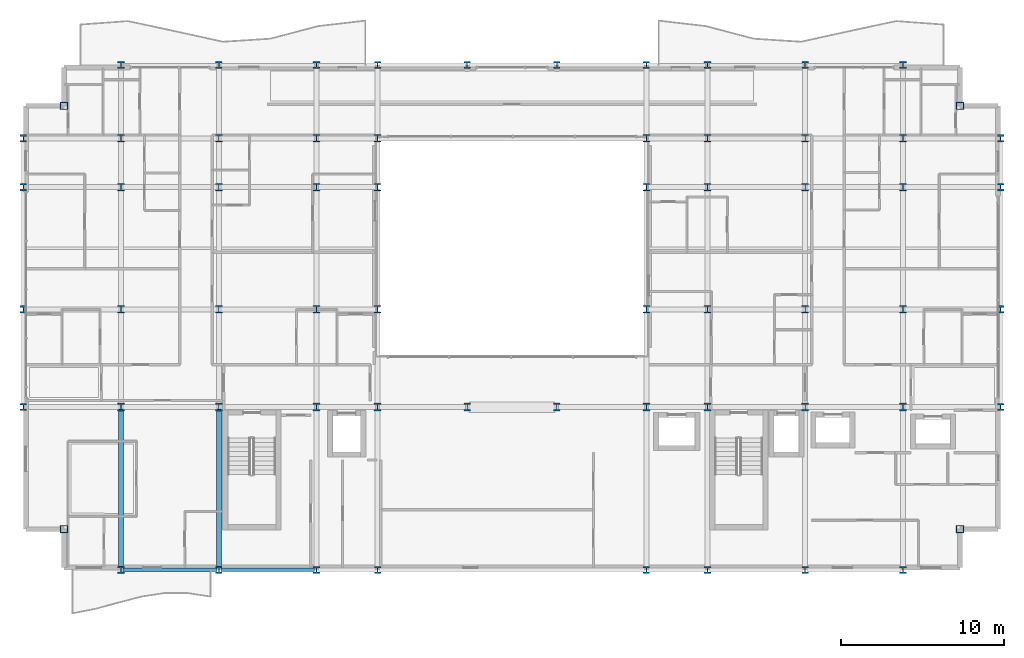
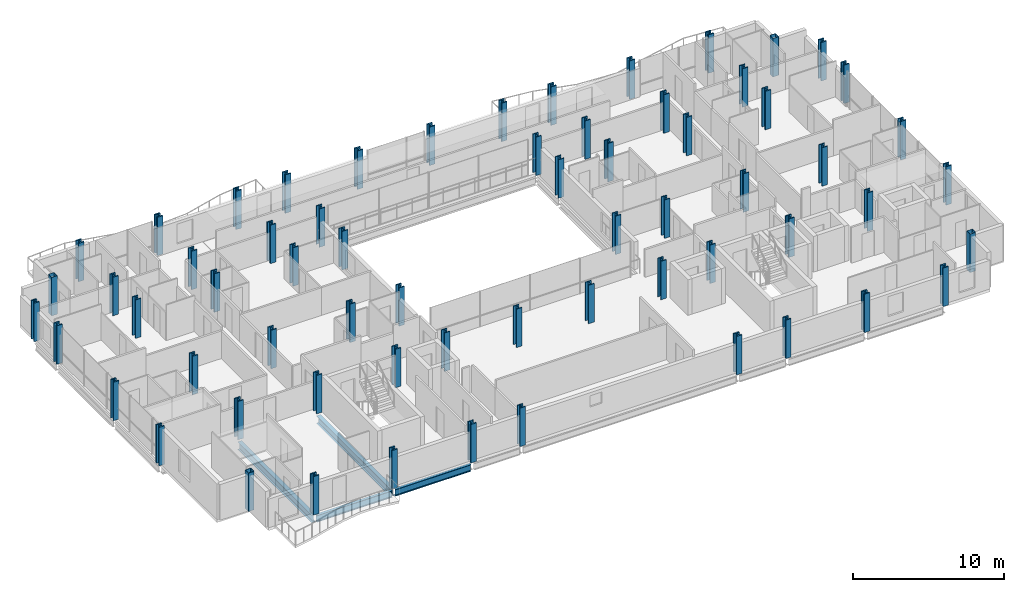
# One storey, part 1 of 41: 64 columns, 4 beams.
"""IFC4 building model written with IfcOpenShell, lengths in metres."""

import ifcopenshell
import ifcopenshell.guid

model = None  # the IFC model being written
_history = None  # IfcOwnerHistory: only IFC2X3 demands one
_inside = {}  # id of a spatial element -> (the spatial element, [elements in it])
_under = {}  # id of a project, library or spatial element -> (it, [spatial elements below it])
_declared = {}  # id of a project -> (the project, [libraries it declares])
_typed = {}  # id of a type object -> (the type object, [elements of that type])
_made_of = {}  # id of a material, layer set ... -> (it, [elements and type objects made of it])


def new_model(schema):
    """Start an empty IFC model of exactly this schema.

    Asked for "IFC4X3", IfcOpenShell would pick the latest addendum, in which some entities
    have other attributes; the version numbers below select the first issue.
    IFC2X3 requires an IfcOwnerHistory on every rooted entity: one is made here for all.
    """
    global model, _history
    if schema == "IFC4X3":
        model = ifcopenshell.file(schema_version=(4, 3, 0, 0))
    else:
        model = ifcopenshell.file(schema=schema)
    _inside.clear()
    _under.clear()
    _declared.clear()
    _typed.clear()
    _made_of.clear()
    _history = None
    if model.schema == "IFC2X3":
        org = make("IfcOrganization", Name="unknown")
        user = make(
            "IfcPersonAndOrganization",
            ThePerson=make("IfcPerson", FamilyName="unknown"),
            TheOrganization=org,
        )
        app = make(
            "IfcApplication",
            ApplicationDeveloper=org,
            Version="unknown",
            ApplicationFullName="unknown",
            ApplicationIdentifier="unknown",
        )
        _history = make(
            "IfcOwnerHistory",
            OwningUser=user,
            OwningApplication=app,
            ChangeAction="ADDED",
            CreationDate=0,
        )
    return model


def make(cls, **values):
    """One entity of the class cls with the attributes given. An attribute that is None is left unset."""
    return model.create_entity(
        cls, **{name: value for name, value in values.items() if value is not None}
    )


def rooted(cls, **values):
    """An entity with a GlobalId (a new one), such as an element, a storey or a relation."""
    return make(cls, GlobalId=ifcopenshell.guid.new(), OwnerHistory=_history, **values)


def si_unit(unit_type, name, prefix=None):
    """IfcSIUnit, for example si_unit("LENGTHUNIT", "METRE", prefix="MILLI")."""
    return make("IfcSIUnit", UnitType=unit_type, Prefix=prefix, Name=name)


def assignment(units):
    """IfcUnitAssignment: the units of a project."""
    return None if units is None else make("IfcUnitAssignment", Units=units)


def point(xyz):
    """IfcCartesianPoint."""
    return None if xyz is None else make("IfcCartesianPoint", Coordinates=xyz)


def direction(xyz):
    """IfcDirection."""
    return None if xyz is None else make("IfcDirection", DirectionRatios=xyz)


def frame(location, z_axis=None, x_axis=None):
    """IfcAxis2Placement3D, a coordinate frame: its origin and axes. An axis left out is left unset."""
    return make(
        "IfcAxis2Placement3D",
        Location=point(location),
        Axis=direction(z_axis),
        RefDirection=direction(x_axis),
    )


def frame_2d(location, x_axis=None):
    """IfcAxis2Placement2D, a coordinate frame in the plane: its origin and x axis."""
    return make(
        "IfcAxis2Placement2D", Location=point(location), RefDirection=direction(x_axis)
    )


def origin():
    """The frame at (0, 0, 0) with its axes left unset."""
    return frame((0.0, 0.0, 0.0))


def origin_2d():
    """The frame at (0, 0) in the plane with its x axis left unset."""
    return frame_2d((0.0, 0.0))


def place(relative_to, where):
    """IfcLocalPlacement: puts the frame where relative to a parent placement (None: the world)."""
    return make(
        "IfcLocalPlacement", PlacementRelTo=relative_to, RelativePlacement=where
    )


def context(
    kind, dimensions, precision=None, world=None, true_north=None, identifier=None
):
    """IfcGeometricRepresentationContext, for example the 3D "Model" context."""
    return make(
        "IfcGeometricRepresentationContext",
        ContextIdentifier=identifier,
        ContextType=kind,
        CoordinateSpaceDimension=dimensions,
        Precision=precision,
        WorldCoordinateSystem=world,
        TrueNorth=true_north,
    )


def subcontext(parent, identifier, kind, view, scale=None):
    """IfcGeometricRepresentationSubContext, for example "Body" below "Model"."""
    return make(
        "IfcGeometricRepresentationSubContext",
        ContextIdentifier=identifier,
        ContextType=kind,
        ParentContext=parent,
        TargetScale=scale,
        TargetView=view,
    )


def project(units=None, contexts=None):
    """IfcProject with its units and contexts."""
    return rooted(
        "IfcProject",
        Name="project",
        RepresentationContexts=contexts,
        UnitsInContext=assignment(units),
    )


def spatial(cls, under=None, at=None, **own):
    """A site, building, storey or space (cls), placed at a placement, below another one or the project."""
    s = rooted(cls, ObjectPlacement=at, **own)
    if under is not None:
        _under.setdefault(under.id(), (under, []))[1].append(s)
    return s


def profile(cls, at=None, kind="AREA", **sizes):
    """A parametric profile (cls). Its sizes go by their IFC names, for example OverallWidth=200.0."""
    return make(cls, ProfileType=kind, Position=at, **sizes)


def hollow_rectangle(**sizes):
    """IfcRectangleHollowProfileDef."""
    return profile("IfcRectangleHollowProfileDef", **sizes)


def i_section(**sizes):
    """IfcIShapeProfileDef."""
    return profile("IfcIShapeProfileDef", **sizes)


def extrude(swept, where, along, depth):
    """IfcExtrudedAreaSolid: the profile swept, set in the frame where, extruded along a direction by depth."""
    return make(
        "IfcExtrudedAreaSolid",
        SweptArea=swept,
        Position=where,
        ExtrudedDirection=direction(along),
        Depth=depth,
    )


def shape(context_of_items, identifier, shape_type, items):
    """IfcShapeRepresentation: the items that make up one representation, for example the "Body"."""
    return make(
        "IfcShapeRepresentation",
        ContextOfItems=context_of_items,
        RepresentationIdentifier=identifier,
        RepresentationType=shape_type,
        Items=items,
    )


def material(Name=None, Category=None):
    """IfcMaterial."""
    return make("IfcMaterial", Name=Name, Category=Category)


def material_profile(
    of_material, cross_section, Name=None, Category=None, Priority=None
):
    """IfcMaterialProfile: a cross section and its material."""
    return make(
        "IfcMaterialProfile",
        Name=Name,
        Material=of_material,
        Profile=cross_section,
        Priority=Priority,
        Category=Category,
    )


def profile_set(profiles, Name=None, composite=None):
    """IfcMaterialProfileSet."""
    return make(
        "IfcMaterialProfileSet",
        Name=Name,
        MaterialProfiles=profiles,
        CompositeProfile=composite,
    )


def made_of(thing, what):
    """Note that an element or type object is made of a material, layer set ...; save() writes the relation."""
    if what is not None:
        _made_of.setdefault(what.id(), (what, []))[1].append(thing)
    return thing


def type_object(cls, material=None, **own):
    """A type object (cls), such as IfcWallType, which elements share."""
    return made_of(rooted(cls, **own), material)


def element(
    cls,
    number,
    at=None,
    inside=None,
    cuts=None,
    type_object=None,
    material=None,
    context=None,
    identifier="Body",
    shape_type=None,
    held_by="IfcProductDefinitionShape",
    body=None,
    shapes=None,
    **own,
):
    """One element of the class cls, such as IfcWall. Its Tag is "e" and its number.

    at: its placement. inside: the storey or other place that contains it. cuts: it is an
    opening in that element (IfcRelVoidsElement). A single representation is given by context,
    identifier, shape_type and body (its items); several are given by shapes. held_by: the class
    of the entity that holds the representations. save() writes the other relations.
    """
    e = rooted(cls, Tag="e%d" % number, ObjectPlacement=at, **own)
    if body is not None:
        shapes = [shape(context, identifier, shape_type, body)]
    if shapes is not None:
        e.Representation = make(held_by, Representations=shapes)
    if inside is not None:
        _inside.setdefault(inside.id(), (inside, []))[1].append(e)
    if cuts is not None:
        rooted(
            "IfcRelVoidsElement", RelatingBuildingElement=cuts, RelatedOpeningElement=e
        )
    if type_object is not None:
        _typed.setdefault(type_object.id(), (type_object, []))[1].append(e)
    return made_of(e, material)


def aggregate(whole, parts):
    """IfcRelAggregates: a whole, such as a stair, and the parts it consists of."""
    return rooted("IfcRelAggregates", RelatingObject=whole, RelatedObjects=parts)


def save(model, path):
    """Write the relations noted so far, then the file.

    IfcRelAggregates (storeys below a building ...), IfcRelContainedInSpatialStructure (elements
    in a storey), IfcRelDefinesByType, IfcRelAssociatesMaterial and IfcRelDeclares: one each for
    every whole, place, type object, material and project.
    """
    for whole, parts in _under.values():
        aggregate(whole, parts)
    for where, things in _inside.values():
        rooted(
            "IfcRelContainedInSpatialStructure",
            RelatedElements=things,
            RelatingStructure=where,
        )
    for kind, things in _typed.values():
        rooted("IfcRelDefinesByType", RelatedObjects=things, RelatingType=kind)
    for what, things in _made_of.values():
        rooted("IfcRelAssociatesMaterial", RelatedObjects=things, RelatingMaterial=what)
    for by, libraries in _declared.values():
        rooted("IfcRelDeclares", RelatingContext=by, RelatedDefinitions=libraries)
    model.write(path)


model = new_model("IFC4")

# Units and contexts
model_context = context("Model", 3, precision=1e-05, world=origin(), true_north=direction((0.0, 1.0)))
body_context = subcontext(model_context, "Body", "Model", "MODEL_VIEW")
ifc_project = project(units=[si_unit("LENGTHUNIT", "METRE"), si_unit("AREAUNIT", "SQUARE_METRE"), si_unit("VOLUMEUNIT", "CUBIC_METRE"), si_unit("PLANEANGLEUNIT", "RADIAN"), si_unit("MASSUNIT", "GRAM", prefix="KILO")], contexts=[model_context])

# Site, building, storey
site_placement = place(None, origin())
site = spatial("IfcSite", under=ifc_project, at=site_placement, CompositionType="ELEMENT")
building_placement = place(site_placement, origin())
building = spatial("IfcBuilding", under=site, at=building_placement, Name="Brevholm Reach", CompositionType="ELEMENT")
storey_placement = place(building_placement, frame((0.0, 0.0, 49.699951171875)))
storey = spatial("IfcBuildingStorey", under=building, at=storey_placement, Name="L13", CompositionType="ELEMENT", Elevation=49.699951171875)

# Columns
ifc_material_1 = material(Name="Structural Steel S460ML", Category="steel")
ifc_material_profile_1 = material_profile(ifc_material_1, i_section(OverallWidth=0.4140625, OverallDepth=0.444091796875, WebThickness=0.060546875, FlangeThickness=0.096923828125, FilletRadius=0.014892578125, at=origin_2d()), Name="HD 400x818")
ifc_profile_set_1 = profile_set([ifc_material_profile_1], Name="Structural Steel S460ML")
column_type_1 = type_object("IfcColumnType", Name="COL-HD2", PredefinedType="COLUMN", material=ifc_profile_set_1)
for number, where, z_axis, x_axis, name in (
    (1, (0.0, 10.0, 0.0), (0.0, 0.0, 1.0), (1.0, 0.0, 0.0), "L13 Column 01"),
    (2, (0.0, 16.0, 0.0), (0.0, 0.0, 1.0), (1.0, 0.0, 0.0), "L13 Column 02"),
    (3, (0.0, 23.5, 0.0), (0.0, 0.0, 1.0), (1.0, 0.0, 0.0), "L13 Column 03"),
    (4, (0.0, 26.5, 0.0), (0.0, 0.0, 1.0), (1.0, 0.0, 0.0), "L13 Column 04"),
    (5, (6.0, 0.0, 0.0), (0.0, 0.0, 1.0), (1.0, 0.0, 0.0), "L13 Column 07"),
    (6, (6.0, 31.0, 0.0), (0.0, 0.0, 1.0), (1.0, 0.0, 0.0), "L13 Column 12"),
    (7, (12.0, 0.0, 0.0), (0.0, 0.0, 1.0), (1.0, 0.0, 0.0), "L13 Column 13"),
    (8, (12.0, 31.0, 0.0), (0.0, 0.0, 1.0), (1.0, 0.0, 0.0), "L13 Column 18"),
    (9, (18.0, 0.0, 0.0), (0.0, 0.0, 1.0), (1.0, 0.0, 0.0), "L13 Column 19"),
    (10, (18.0, 31.0, 0.0), (0.0, 0.0, 1.0), (1.0, 0.0, 0.0), "L13 Column 24"),
    (11, (21.75, 0.0, 0.0), (0.0, 0.0, 1.0), (1.0, 0.0, 0.0), "L13 Column 25"),
    (12, (21.75, 31.0, 0.0), (0.0, 0.0, 1.0), (1.0, 0.0, 0.0), "L13 Column 30"),
    (13, (27.25, 31.0, 0.0), (0.0, 0.0, 1.0), (1.0, 0.0, 0.0), "L13 Column 32"),
    (14, (32.75, 31.0, 0.0), (0.0, 0.0, 1.0), (1.0, 0.0, 0.0), "L13 Column 34"),
    (15, (38.25, 0.0, 0.0), (0.0, 0.0, 1.0), (1.0, 0.0, 0.0), "L13 Column 35"),
    (16, (38.25, 31.0, 0.0), (0.0, 0.0, 1.0), (1.0, 0.0, 0.0), "L13 Column 40"),
    (17, (42.0, 0.0, 0.0), (0.0, 0.0, 1.0), (1.0, 0.0, 0.0), "L13 Column 41"),
    (18, (42.0, 31.0, 0.0), (0.0, 0.0, 1.0), (1.0, 0.0, 0.0), "L13 Column 46"),
    (19, (48.0, 0.0, 0.0), (0.0, 0.0, 1.0), (1.0, 0.0, 0.0), "L13 Column 47"),
    (20, (48.0, 31.0, 0.0), (0.0, 0.0, 1.0), (1.0, 0.0, 0.0), "L13 Column 52"),
    (21, (54.0, 0.0, 0.0), (0.0, 0.0, 1.0), (1.0, 0.0, 0.0), "L13 Column 53"),
    (22, (54.0, 31.0, 0.0), (0.0, 0.0, 1.0), (1.0, 0.0, 0.0), "L13 Column 58"),
    (23, (60.0, 10.0, 0.0), (0.0, 0.0, 1.0), (1.0, 0.0, 0.0), "L13 Column 61"),
    (24, (60.0, 16.0, 0.0), (0.0, 0.0, 1.0), (1.0, 0.0, 0.0), "L13 Column 62"),
    (25, (60.0, 23.5, 0.0), (0.0, 0.0, 1.0), (1.0, 0.0, 0.0), "L13 Column 63"),
    (26, (60.0, 26.5, 0.0), (0.0, 0.0, 1.0), (1.0, 0.0, 0.0), "L13 Column 64"),
):
    element("IfcColumn", number, at=place(storey_placement, frame(where, z_axis=z_axis, x_axis=x_axis)), inside=storey, type_object=column_type_1, Name=name, PredefinedType="COLUMN", context=body_context, shape_type="SweptSolid", body=[
        extrude(i_section(OverallWidth=0.4140625, OverallDepth=0.444091796875, WebThickness=0.060546875, FlangeThickness=0.096923828125, FilletRadius=0.014892578125, at=origin_2d()), origin(), (0.0, 0.0, 1.0), 3.10009765625),
    ])
ifc_material_2 = material(Name="Structural Steel S460NH", Category="steel")
ifc_material_profile_2 = material_profile(ifc_material_2, hollow_rectangle(XDim=0.449951171875, YDim=0.449951171875, WallThickness=0.02490234375, InnerFilletRadius=0.011962890625, OuterFilletRadius=0.02392578125, at=origin_2d()), Name="SHS 450x450x25")
ifc_profile_set_2 = profile_set([ifc_material_profile_2], Name="Structural Steel S460NH")
column_type_2 = type_object("IfcColumnType", Name="COL-SHS1", PredefinedType="COLUMN", material=ifc_profile_set_2)
for number, where, z_axis, x_axis, name in (
    (27, (2.5, 2.5, 0.0), (0.0, 0.0, 1.0), (1.0, 0.0, 0.0), "L13 Column 05"),
    (28, (2.5, 28.5, 0.0), (0.0, 0.0, 1.0), (1.0, 0.0, 0.0), "L13 Column 06"),
    (29, (57.5, 2.5, 0.0), (0.0, 0.0, 1.0), (1.0, 0.0, 0.0), "L13 Column 59"),
    (30, (57.5, 28.5, 0.0), (0.0, 0.0, 1.0), (1.0, 0.0, 0.0), "L13 Column 60"),
):
    element("IfcColumn", number, at=place(storey_placement, frame(where, z_axis=z_axis, x_axis=x_axis)), inside=storey, type_object=column_type_2, Name=name, PredefinedType="COLUMN", context=body_context, shape_type="SweptSolid", body=[
        extrude(hollow_rectangle(XDim=0.449951171875, YDim=0.449951171875, WallThickness=0.02490234375, InnerFilletRadius=0.011962890625, OuterFilletRadius=0.02392578125, at=origin_2d()), origin(), (0.0, 0.0, 1.0), 3.10009765625),
    ])
ifc_material_3 = material(Name="Structural Steel S460ML", Category="steel")
ifc_material_profile_3 = material_profile(ifc_material_3, i_section(OverallWidth=0.424072265625, OverallDepth=0.474609375, WebThickness=0.047607421875, FlangeThickness=0.076904296875, FilletRadius=0.01513671875, at=origin_2d()), Name="UKC 356x406x634")
ifc_profile_set_3 = profile_set([ifc_material_profile_3], Name="Structural Steel S460ML")
column_type_3 = type_object("IfcColumnType", Name="COL-UC1", PredefinedType="COLUMN", material=ifc_profile_set_3)
for number, where, z_axis, x_axis, name in (
    (31, (6.0, 10.0, 0.0), (0.0, 0.0, 1.0), (1.0, 0.0, 0.0), "L13 Column 08"),
    (32, (6.0, 16.0, 0.0), (0.0, 0.0, 1.0), (1.0, 0.0, 0.0), "L13 Column 09"),
    (33, (6.0, 23.5, 0.0), (0.0, 0.0, 1.0), (1.0, 0.0, 0.0), "L13 Column 10"),
    (34, (6.0, 26.5, 0.0), (0.0, 0.0, 1.0), (1.0, 0.0, 0.0), "L13 Column 11"),
    (35, (12.0, 10.0, 0.0), (0.0, 0.0, 1.0), (1.0, 0.0, 0.0), "L13 Column 14"),
    (36, (12.0, 16.0, 0.0), (0.0, 0.0, 1.0), (1.0, 0.0, 0.0), "L13 Column 15"),
    (37, (12.0, 23.5, 0.0), (0.0, 0.0, 1.0), (1.0, 0.0, 0.0), "L13 Column 16"),
    (38, (12.0, 26.5, 0.0), (0.0, 0.0, 1.0), (1.0, 0.0, 0.0), "L13 Column 17"),
    (39, (18.0, 10.0, 0.0), (0.0, 0.0, 1.0), (1.0, 0.0, 0.0), "L13 Column 20"),
    (40, (18.0, 16.0, 0.0), (0.0, 0.0, 1.0), (1.0, 0.0, 0.0), "L13 Column 21"),
    (41, (18.0, 23.5, 0.0), (0.0, 0.0, 1.0), (1.0, 0.0, 0.0), "L13 Column 22"),
    (42, (18.0, 26.5, 0.0), (0.0, 0.0, 1.0), (1.0, 0.0, 0.0), "L13 Column 23"),
    (43, (21.75, 10.0, 0.0), (0.0, 0.0, 1.0), (1.0, 0.0, 0.0), "L13 Column 26"),
    (44, (21.75, 16.0, 0.0), (0.0, 0.0, 1.0), (1.0, 0.0, 0.0), "L13 Column 27"),
    (45, (21.75, 23.5, 0.0), (0.0, 0.0, 1.0), (1.0, 0.0, 0.0), "L13 Column 28"),
    (46, (21.75, 26.5, 0.0), (0.0, 0.0, 1.0), (1.0, 0.0, 0.0), "L13 Column 29"),
    (47, (27.25, 10.0, 0.0), (0.0, 0.0, 1.0), (1.0, 0.0, 0.0), "L13 Column 31"),
    (48, (32.75, 10.0, 0.0), (0.0, 0.0, 1.0), (1.0, 0.0, 0.0), "L13 Column 33"),
    (49, (38.25, 10.0, 0.0), (0.0, 0.0, 1.0), (1.0, 0.0, 0.0), "L13 Column 36"),
    (50, (38.25, 16.0, 0.0), (0.0, 0.0, 1.0), (1.0, 0.0, 0.0), "L13 Column 37"),
    (51, (38.25, 23.5, 0.0), (0.0, 0.0, 1.0), (1.0, 0.0, 0.0), "L13 Column 38"),
    (52, (38.25, 26.5, 0.0), (0.0, 0.0, 1.0), (1.0, 0.0, 0.0), "L13 Column 39"),
    (53, (42.0, 10.0, 0.0), (0.0, 0.0, 1.0), (1.0, 0.0, 0.0), "L13 Column 42"),
    (54, (42.0, 16.0, 0.0), (0.0, 0.0, 1.0), (1.0, 0.0, 0.0), "L13 Column 43"),
    (55, (42.0, 23.5, 0.0), (0.0, 0.0, 1.0), (1.0, 0.0, 0.0), "L13 Column 44"),
    (56, (42.0, 26.5, 0.0), (0.0, 0.0, 1.0), (1.0, 0.0, 0.0), "L13 Column 45"),
    (57, (48.0, 10.0, 0.0), (0.0, 0.0, 1.0), (1.0, 0.0, 0.0), "L13 Column 48"),
    (58, (48.0, 16.0, 0.0), (0.0, 0.0, 1.0), (1.0, 0.0, 0.0), "L13 Column 49"),
    (59, (48.0, 23.5, 0.0), (0.0, 0.0, 1.0), (1.0, 0.0, 0.0), "L13 Column 50"),
    (60, (48.0, 26.5, 0.0), (0.0, 0.0, 1.0), (1.0, 0.0, 0.0), "L13 Column 51"),
    (61, (54.0, 10.0, 0.0), (0.0, 0.0, 1.0), (1.0, 0.0, 0.0), "L13 Column 54"),
    (62, (54.0, 16.0, 0.0), (0.0, 0.0, 1.0), (1.0, 0.0, 0.0), "L13 Column 55"),
    (63, (54.0, 23.5, 0.0), (0.0, 0.0, 1.0), (1.0, 0.0, 0.0), "L13 Column 56"),
    (64, (54.0, 26.5, 0.0), (0.0, 0.0, 1.0), (1.0, 0.0, 0.0), "L13 Column 57"),
):
    element("IfcColumn", number, at=place(storey_placement, frame(where, z_axis=z_axis, x_axis=x_axis)), inside=storey, type_object=column_type_3, Name=name, PredefinedType="COLUMN", context=body_context, shape_type="SweptSolid", body=[
        extrude(i_section(OverallWidth=0.424072265625, OverallDepth=0.474609375, WebThickness=0.047607421875, FlangeThickness=0.076904296875, FilletRadius=0.01513671875, at=origin_2d()), origin(), (0.0, 0.0, 1.0), 3.10009765625),
    ])

# Beams
ifc_material_4 = material(Name="Structural Steel S355J2", Category="steel")
ifc_material_profile_4 = material_profile(ifc_material_4, i_section(OverallWidth=0.210693359375, OverallDepth=0.53955078125, WebThickness=0.01171875, FlangeThickness=0.018798828125, FilletRadius=0.0126953125, at=origin_2d()), Name="UKB 533x210x109")
ifc_profile_set_4 = profile_set([ifc_material_profile_4], Name="Structural Steel S355J2")
beam_type_1 = type_object("IfcBeamType", Name="BM-SP539", PredefinedType="SPANDREL", material=ifc_profile_set_4)
for number, where, z_axis, x_axis, name in (
    (65, (6.1201171875, 0.0, -0.499755859375), (1.0, 0.0, 0.0), (0.0, 1.0, 0.0), "L13 SP-01B Framing Beam"),
    (66, (12.1201171875, 0.0, -0.499755859375), (1.0, 0.0, 0.0), (0.0, 1.0, 0.0), "L13 SP-01B Framing Beam"),
):
    element("IfcBeam", number, at=place(storey_placement, frame(where, z_axis=z_axis, x_axis=x_axis)), inside=storey, type_object=beam_type_1, Name=name, PredefinedType="SPANDREL", context=body_context, shape_type="SweptSolid", body=[
        extrude(i_section(OverallWidth=0.210693359375, OverallDepth=0.53955078125, WebThickness=0.01171875, FlangeThickness=0.018798828125, FilletRadius=0.0126953125, at=origin_2d()), origin(), (0.0, 0.0, 1.0), 5.759765625),
    ])
ifc_material_5 = material(Name="Structural Steel S355J2", Category="steel")
ifc_material_profile_5 = material_profile(ifc_material_5, i_section(OverallWidth=0.30712890625, OverallDepth=0.6201171875, WebThickness=0.01416015625, FlangeThickness=0.023681640625, FilletRadius=0.0166015625, at=origin_2d()), Name="UKB 610x305x179")
ifc_profile_set_5 = profile_set([ifc_material_profile_5], Name="Structural Steel S355J2")
beam_type_2 = type_object("IfcBeamType", Name="BM-UKB610H", PredefinedType="USERDEFINED", material=ifc_profile_set_5)
for number, where, z_axis, x_axis, name in (
    (67, (6.0, 0.1201171875, -0.5400390625), (0.0, 1.0, 0.0), (-1.0, 0.0, 0.0), "L13 G-06 Framing Beam"),
    (68, (12.0, 0.1201171875, -0.5400390625), (0.0, 1.0, 0.0), (-1.0, 0.0, 0.0), "L13 G-06 Framing Beam"),
):
    element("IfcBeam", number, at=place(storey_placement, frame(where, z_axis=z_axis, x_axis=x_axis)), inside=storey, type_object=beam_type_2, Name=name, ObjectType="GIRDER", PredefinedType="USERDEFINED", context=body_context, shape_type="SweptSolid", body=[
        extrude(i_section(OverallWidth=0.30712890625, OverallDepth=0.6201171875, WebThickness=0.01416015625, FlangeThickness=0.023681640625, FilletRadius=0.0166015625, at=origin_2d()), origin(), (0.0, 0.0, 1.0), 9.759765625),
    ])

save(model, "model.ifc")
